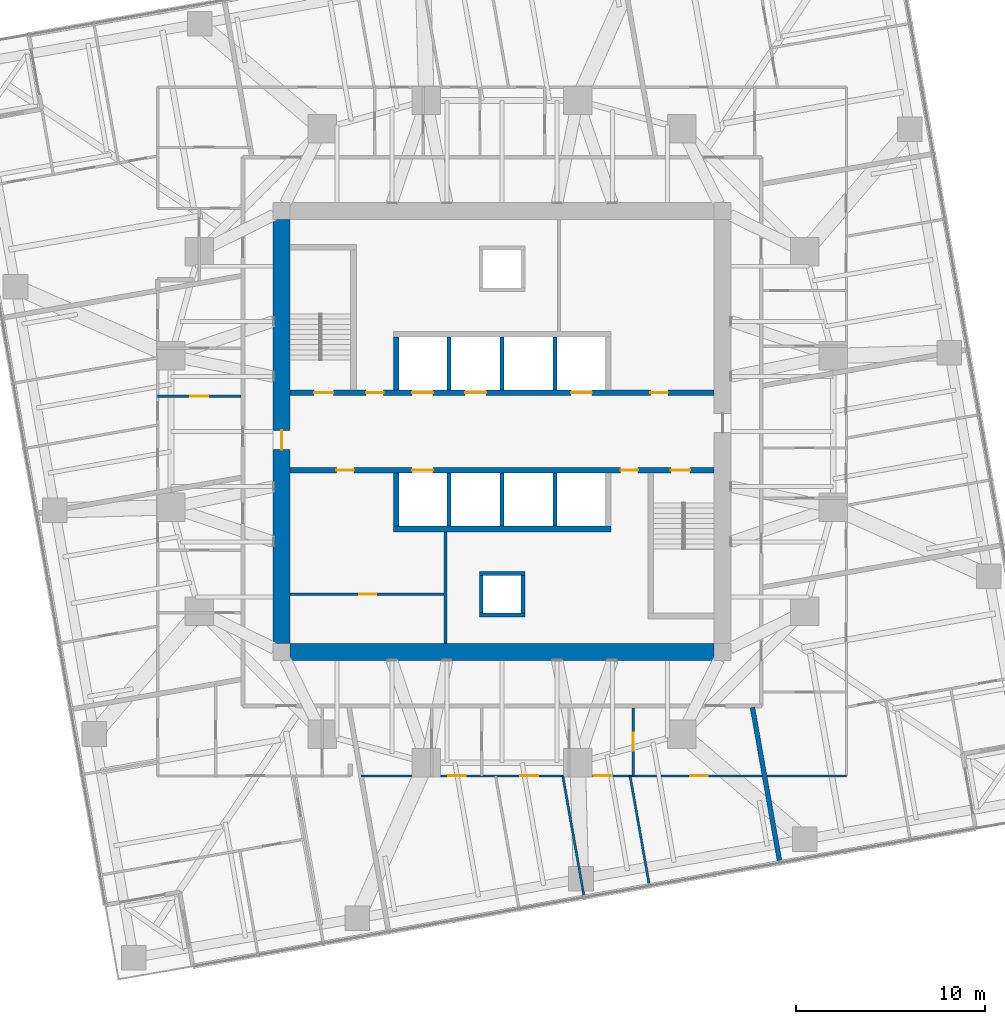
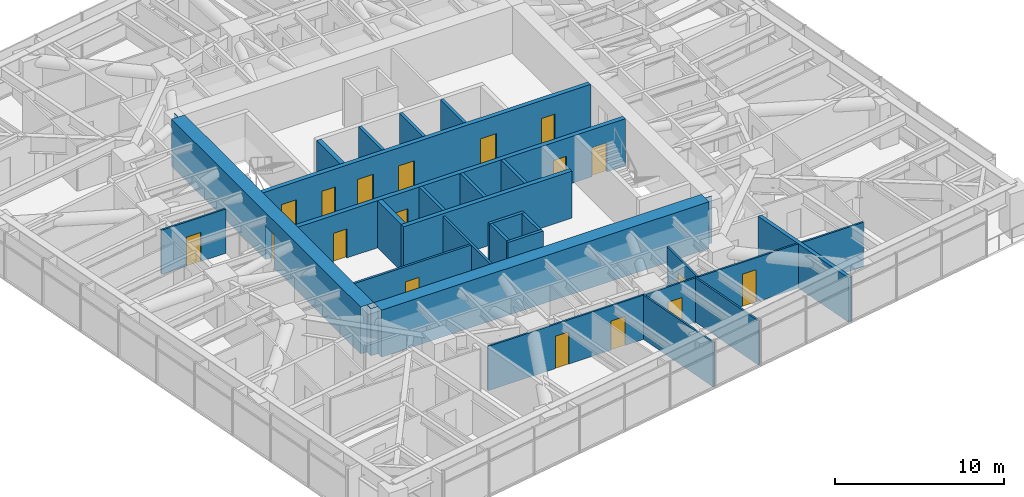
# One storey, part 12 of 17: 25 walls, 18 doors, 18 openings.
"""IFC4 building model written with IfcOpenShell, lengths in metres."""

from ifc_helpers import new_model, si_unit, direction, frame, frame_2d, origin, place, context, subcontext, project, spatial, polyline, rectangle, outline, extrude, material, layer, layer_set, type_object, element, fill, save


model = new_model("IFC4")

# Units and contexts
model_context = context("Model", 3, precision=1e-05, world=origin(), true_north=direction((0.0, 1.0)))
body_context = subcontext(model_context, "Body", "Model", "MODEL_VIEW")
ifc_project = project(units=[si_unit("LENGTHUNIT", "METRE"), si_unit("AREAUNIT", "SQUARE_METRE"), si_unit("VOLUMEUNIT", "CUBIC_METRE"), si_unit("PLANEANGLEUNIT", "RADIAN"), si_unit("MASSUNIT", "GRAM", prefix="KILO")], contexts=[model_context])

# Site, building, storey
site_placement = place(None, origin())
site = spatial("IfcSite", under=ifc_project, at=site_placement, CompositionType="ELEMENT")
building_placement = place(site_placement, origin())
building = spatial("IfcBuilding", under=site, at=building_placement, Name="Torsade Residences", CompositionType="ELEMENT")
storey_placement = place(building_placement, frame((0.0, 0.0, 103.199951171875)))
storey = spatial("IfcBuildingStorey", under=building, at=storey_placement, Name="L28", CompositionType="ELEMENT", Elevation=103.199951171875)

# Wall, openings, doors
ifc_material_1 = material(Name="Concrete 80 MPa", Category="concrete")
ifc_layer_1 = layer(ifc_material_1, 0.300048828125)
ifc_layer_set_1 = layer_set([ifc_layer_1], Name="Concrete 80 MPa")
wall_type_1 = type_object("IfcWallType", Name="CORE INTERNAL WALL 300", PredefinedType="SHEAR", material=ifc_layer_set_1)
wall_1_placement = place(storey_placement, frame((28.800048828125, 32.050048828125, 0.0), z_axis=(0.0, 0.0, 1.0), x_axis=(1.0, 0.0, 0.0)))
wall_1 = element("IfcWall", 1, at=wall_1_placement, inside=storey, type_object=wall_type_1, Name="Core wall LN L28", PredefinedType="SHEAR", context=body_context, shape_type="SweptSolid", body=[
    extrude(rectangle(XDim=22.39990234375, YDim=0.300048828125, at=frame_2d((11.199951171875, 0.0))), origin(), (0.0, 0.0, 1.0), 3.400146484375),
])
opening_1_placement = place(wall_1_placement, frame((19.0400390625, 0.0, 0.0)))
opening_1 = element("IfcOpeningElement", 2, at=opening_1_placement, cuts=wall_1, Name="Opening D06", PredefinedType="OPENING", context=body_context, shape_type="SweptSolid", body=[
    extrude(rectangle(XDim=0.919921875, YDim=2.10009765625, at=frame_2d((0.4599609375, 1.050048828125))), frame((0.0, 0.159912109375, 0.0), z_axis=(0.0, -1.0, 0.0), x_axis=(1.0, 0.0, 0.0)), (0.0, 0.0, 1.0), 0.320068359375),
])
opening_2_placement = place(wall_1_placement, frame((1.264892578125, 0.0, 0.0)))
opening_2 = element("IfcOpeningElement", 3, at=opening_2_placement, cuts=wall_1, Name="Opening D03", PredefinedType="OPENING", context=body_context, shape_type="SweptSolid", body=[
    extrude(rectangle(XDim=1.02001953125, YDim=2.10009765625, at=frame_2d((0.510009765625, 1.050048828125))), frame((0.0, 0.159912109375, 0.0), z_axis=(0.0, -1.0, 0.0), x_axis=(1.0, 0.0, 0.0)), (0.0, 0.0, 1.0), 0.320068359375),
])
opening_3_placement = place(wall_1_placement, frame((4.014892578125, 0.0, 0.0)))
opening_3 = element("IfcOpeningElement", 4, at=opening_3_placement, cuts=wall_1, Name="Opening D06", PredefinedType="OPENING", context=body_context, shape_type="SweptSolid", body=[
    extrude(rectangle(XDim=0.919921875, YDim=2.10009765625, at=frame_2d((0.4599609375, 1.050048828125))), frame((0.0, 0.159912109375, 0.0), z_axis=(0.0, -1.0, 0.0), x_axis=(1.0, 0.0, 0.0)), (0.0, 0.0, 1.0), 0.320068359375),
])
opening_4_placement = place(wall_1_placement, frame((6.449951171875, 0.0, 0.0)))
opening_4 = element("IfcOpeningElement", 5, at=opening_4_placement, cuts=wall_1, Name="Opening LD", PredefinedType="OPENING", context=body_context, shape_type="SweptSolid", body=[
    extrude(rectangle(XDim=1.10009765625, YDim=2.10009765625, at=frame_2d((0.550048828125, 1.050048828125))), frame((0.0, 0.159912109375, 0.0), z_axis=(0.0, -1.0, 0.0), x_axis=(1.0, 0.0, 0.0)), (0.0, 0.0, 1.0), 0.320068359375),
])
opening_5_placement = place(wall_1_placement, frame((9.25, 0.0, 0.0)))
opening_5 = element("IfcOpeningElement", 6, at=opening_5_placement, cuts=wall_1, Name="Opening LD", PredefinedType="OPENING", context=body_context, shape_type="SweptSolid", body=[
    extrude(rectangle(XDim=1.10009765625, YDim=2.10009765625, at=frame_2d((0.550048828125, 1.050048828125))), frame((0.0, 0.159912109375, 0.0), z_axis=(0.0, -1.0, 0.0), x_axis=(1.0, 0.0, 0.0)), (0.0, 0.0, 1.0), 0.320068359375),
])
opening_6_placement = place(wall_1_placement, frame((14.85009765625, 0.0, 0.0)))
opening_6 = element("IfcOpeningElement", 7, at=opening_6_placement, cuts=wall_1, Name="Opening LD", PredefinedType="OPENING", context=body_context, shape_type="SweptSolid", body=[
    extrude(rectangle(XDim=1.10009765625, YDim=2.10009765625, at=frame_2d((0.550048828125, 1.050048828125))), frame((0.0, 0.159912109375, 0.0), z_axis=(0.0, -1.0, 0.0), x_axis=(1.0, 0.0, 0.0)), (0.0, 0.0, 1.0), 0.320068359375),
])
ifc_material_2 = material(Name="Steel-framed fire door", Category="steel")
door_type_1 = type_object("IfcDoorType", Name="FIRE DOOR 1020", OperationType="NOTDEFINED", PredefinedType="DOOR", material=ifc_material_2)
door_1_placement = place(opening_2_placement, origin())
door_1 = element("IfcDoor", 8, at=door_1_placement, inside=storey, type_object=door_type_1, Name="Exit door to fire-isolated stair ST1 L28", OperationType="SINGLE_SWING_RIGHT", OverallHeight=2.10009765625, OverallWidth=1.02001953125, PredefinedType="DOOR", context=body_context, shape_type="SweptSolid", body=[
    extrude(rectangle(XDim=1.02001953125, YDim=2.10009765625, at=frame_2d((0.510009765625, 1.050048828125))), frame((0.0, 0.02490234375, 0.0), z_axis=(0.0, -1.0, 0.0), x_axis=(1.0, 0.0, 0.0)), (0.0, 0.0, 1.0), 0.050048828125),
])
fill(opening_2, door_1)
ifc_material_3 = material(Name="Steel-framed fire door", Category="steel")
door_type_2 = type_object("IfcDoorType", Name="FIRE DOOR 920", OperationType="NOTDEFINED", PredefinedType="DOOR", material=ifc_material_3)
door_2_placement = place(opening_1_placement, origin())
door_2 = element("IfcDoor", 9, at=door_2_placement, inside=storey, type_object=door_type_2, Name="Door Lift lobby to Refuse room", OperationType="SINGLE_SWING_LEFT", OverallHeight=2.10009765625, OverallWidth=0.919921875, PredefinedType="DOOR", context=body_context, shape_type="SweptSolid", body=[
    extrude(rectangle(XDim=0.919921875, YDim=2.10009765625, at=frame_2d((0.4599609375, 1.050048828125))), frame((0.0, 0.02490234375, 0.0), z_axis=(0.0, -1.0, 0.0), x_axis=(1.0, 0.0, 0.0)), (0.0, 0.0, 1.0), 0.050048828125),
])
fill(opening_1, door_2)
door_3_placement = place(opening_3_placement, origin())
door_3 = element("IfcDoor", 10, at=door_3_placement, inside=storey, type_object=door_type_2, Name="Door Lift lobby to Electrical riser room", OperationType="SINGLE_SWING_LEFT", OverallHeight=2.10009765625, OverallWidth=0.919921875, PredefinedType="DOOR", context=body_context, shape_type="SweptSolid", body=[
    extrude(rectangle(XDim=0.919921875, YDim=2.10009765625, at=frame_2d((0.4599609375, 1.050048828125))), frame((0.0, 0.02490234375, 0.0), z_axis=(0.0, -1.0, 0.0), x_axis=(1.0, 0.0, 0.0)), (0.0, 0.0, 1.0), 0.050048828125),
])
fill(opening_3, door_3)
ifc_material_4 = material(Name="Stainless steel lift landing door", Category="steel")
door_type_3 = type_object("IfcDoorType", Name="LIFT LANDING DOOR 1100", OperationType="SLIDING_TO_LEFT", PredefinedType="DOOR", material=ifc_material_4)
door_4_placement = place(opening_4_placement, origin())
door_4 = element("IfcDoor", 11, at=door_4_placement, inside=storey, type_object=door_type_3, Name="Lift LA1 landing door L28", OperationType="SLIDING_TO_LEFT", OverallHeight=2.10009765625, OverallWidth=1.10009765625, PredefinedType="DOOR", context=body_context, shape_type="SweptSolid", body=[
    extrude(rectangle(XDim=1.10009765625, YDim=2.10009765625, at=frame_2d((0.550048828125, 1.050048828125))), frame((0.0, 0.02490234375, 0.0), z_axis=(0.0, -1.0, 0.0), x_axis=(1.0, 0.0, 0.0)), (0.0, 0.0, 1.0), 0.050048828125),
])
fill(opening_4, door_4)
door_5_placement = place(opening_5_placement, origin())
door_5 = element("IfcDoor", 12, at=door_5_placement, inside=storey, type_object=door_type_3, Name="Lift LA2 landing door L28", OperationType="SLIDING_TO_LEFT", OverallHeight=2.10009765625, OverallWidth=1.10009765625, PredefinedType="DOOR", context=body_context, shape_type="SweptSolid", body=[
    extrude(rectangle(XDim=1.10009765625, YDim=2.10009765625, at=frame_2d((0.550048828125, 1.050048828125))), frame((0.0, 0.02490234375, 0.0), z_axis=(0.0, -1.0, 0.0), x_axis=(1.0, 0.0, 0.0)), (0.0, 0.0, 1.0), 0.050048828125),
])
fill(opening_5, door_5)
door_6_placement = place(opening_6_placement, origin())
door_6 = element("IfcDoor", 13, at=door_6_placement, inside=storey, type_object=door_type_3, Name="Lift FL1 landing door L28", OperationType="SLIDING_TO_LEFT", OverallHeight=2.10009765625, OverallWidth=1.10009765625, PredefinedType="DOOR", context=body_context, shape_type="SweptSolid", body=[
    extrude(rectangle(XDim=1.10009765625, YDim=2.10009765625, at=frame_2d((0.550048828125, 1.050048828125))), frame((0.0, 0.02490234375, 0.0), z_axis=(0.0, -1.0, 0.0), x_axis=(1.0, 0.0, 0.0)), (0.0, 0.0, 1.0), 0.050048828125),
])
fill(opening_6, door_6)

wall_2_placement = place(storey_placement, frame((51.199951171875, 27.949951171875, 0.0), z_axis=(0.0, 0.0, 1.0), x_axis=(-1.0, 0.0, 0.0)))
wall_2 = element("IfcWall", 14, at=wall_2_placement, inside=storey, type_object=wall_type_1, Name="Core wall LS L28", PredefinedType="SHEAR", context=body_context, shape_type="SweptSolid", body=[
    extrude(rectangle(XDim=22.39990234375, YDim=0.300048828125, at=frame_2d((11.199951171875, 0.0))), origin(), (0.0, 0.0, 1.0), 3.400146484375),
])
opening_7_placement = place(wall_2_placement, frame((19.0400390625, 0.0, 0.0)))
opening_7 = element("IfcOpeningElement", 15, at=opening_7_placement, cuts=wall_2, Name="Opening D06", PredefinedType="OPENING", context=body_context, shape_type="SweptSolid", body=[
    extrude(rectangle(XDim=0.919921875, YDim=2.10009765625, at=frame_2d((0.4599609375, 1.050048828125))), frame((0.0, 0.159912109375, 0.0), z_axis=(0.0, -1.0, 0.0), x_axis=(1.0, 0.0, 0.0)), (0.0, 0.0, 1.0), 0.320068359375),
])
opening_8_placement = place(wall_2_placement, frame((1.264892578125, 0.0, 0.0)))
opening_8 = element("IfcOpeningElement", 16, at=opening_8_placement, cuts=wall_2, Name="Opening D03", PredefinedType="OPENING", context=body_context, shape_type="SweptSolid", body=[
    extrude(rectangle(XDim=1.02001953125, YDim=2.10009765625, at=frame_2d((0.510009765625, 1.050048828125))), frame((0.0, 0.159912109375, 0.0), z_axis=(0.0, -1.0, 0.0), x_axis=(1.0, 0.0, 0.0)), (0.0, 0.0, 1.0), 0.320068359375),
])
opening_9_placement = place(wall_2_placement, frame((4.014892578125, 0.0, 0.0)))
opening_9 = element("IfcOpeningElement", 17, at=opening_9_placement, cuts=wall_2, Name="Opening D06", PredefinedType="OPENING", context=body_context, shape_type="SweptSolid", body=[
    extrude(rectangle(XDim=0.919921875, YDim=2.10009765625, at=frame_2d((0.4599609375, 1.050048828125))), frame((0.0, 0.159912109375, 0.0), z_axis=(0.0, -1.0, 0.0), x_axis=(1.0, 0.0, 0.0)), (0.0, 0.0, 1.0), 0.320068359375),
])
opening_10_placement = place(wall_2_placement, frame((14.85009765625, 0.0, 0.0)))
opening_10 = element("IfcOpeningElement", 18, at=opening_10_placement, cuts=wall_2, Name="Opening LD", PredefinedType="OPENING", context=body_context, shape_type="SweptSolid", body=[
    extrude(rectangle(XDim=1.10009765625, YDim=2.10009765625, at=frame_2d((0.550048828125, 1.050048828125))), frame((0.0, 0.159912109375, 0.0), z_axis=(0.0, -1.0, 0.0), x_axis=(1.0, 0.0, 0.0)), (0.0, 0.0, 1.0), 0.320068359375),
])
door_7_placement = place(opening_8_placement, origin())
door_7 = element("IfcDoor", 19, at=door_7_placement, inside=storey, type_object=door_type_1, Name="Exit door to fire-isolated stair ST2 L28", OperationType="SINGLE_SWING_RIGHT", OverallHeight=2.10009765625, OverallWidth=1.02001953125, PredefinedType="DOOR", context=body_context, shape_type="SweptSolid", body=[
    extrude(rectangle(XDim=1.02001953125, YDim=2.10009765625, at=frame_2d((0.510009765625, 1.050048828125))), frame((0.0, 0.02490234375, 0.0), z_axis=(0.0, -1.0, 0.0), x_axis=(1.0, 0.0, 0.0)), (0.0, 0.0, 1.0), 0.050048828125),
])
fill(opening_8, door_7)
door_8_placement = place(opening_7_placement, origin())
door_8 = element("IfcDoor", 20, at=door_8_placement, inside=storey, type_object=door_type_2, Name="Door Lift lobby to Cleaner store", OperationType="SINGLE_SWING_LEFT", OverallHeight=2.10009765625, OverallWidth=0.919921875, PredefinedType="DOOR", context=body_context, shape_type="SweptSolid", body=[
    extrude(rectangle(XDim=0.919921875, YDim=2.10009765625, at=frame_2d((0.4599609375, 1.050048828125))), frame((0.0, 0.02490234375, 0.0), z_axis=(0.0, -1.0, 0.0), x_axis=(1.0, 0.0, 0.0)), (0.0, 0.0, 1.0), 0.050048828125),
])
fill(opening_7, door_8)
door_9_placement = place(opening_9_placement, origin())
door_9 = element("IfcDoor", 21, at=door_9_placement, inside=storey, type_object=door_type_2, Name="Door Lift lobby to Communications riser room", OperationType="SINGLE_SWING_RIGHT", OverallHeight=2.10009765625, OverallWidth=0.919921875, PredefinedType="DOOR", context=body_context, shape_type="SweptSolid", body=[
    extrude(rectangle(XDim=0.919921875, YDim=2.10009765625, at=frame_2d((0.4599609375, 1.050048828125))), frame((0.0, 0.02490234375, 0.0), z_axis=(0.0, -1.0, 0.0), x_axis=(1.0, 0.0, 0.0)), (0.0, 0.0, 1.0), 0.050048828125),
])
fill(opening_9, door_9)
door_10_placement = place(opening_10_placement, origin())
door_10 = element("IfcDoor", 22, at=door_10_placement, inside=storey, type_object=door_type_3, Name="Lift FL2 landing door L28", OperationType="SLIDING_TO_LEFT", OverallHeight=2.10009765625, OverallWidth=1.10009765625, PredefinedType="DOOR", context=body_context, shape_type="SweptSolid", body=[
    extrude(rectangle(XDim=1.10009765625, YDim=2.10009765625, at=frame_2d((0.550048828125, 1.050048828125))), frame((0.0, 0.02490234375, 0.0), z_axis=(0.0, -1.0, 0.0), x_axis=(1.0, 0.0, 0.0)), (0.0, 0.0, 1.0), 0.050048828125),
])
fill(opening_10, door_10)

# Walls
wall_3_placement = place(storey_placement, frame((45.75, 24.85009765625, 0.0), z_axis=(0.0, 0.0, 1.0), x_axis=(-1.0, 0.0, 0.0)))
element("IfcWall", 23, at=wall_3_placement, inside=storey, type_object=wall_type_1, Name="Core wall BS L28", PredefinedType="SHEAR", context=body_context, shape_type="SweptSolid", body=[
    extrude(rectangle(XDim=11.5, YDim=0.300048828125, at=frame_2d((5.75, 0.0))), origin(), (0.0, 0.0, 1.0), 3.400146484375),
])
for number, where, z_axis, x_axis, name in (
    (24, (34.39990234375, 32.199951171875, 0.0), (0.0, 0.0, 1.0), (0.0, 1.0, 0.0), "Core wall DN0 L28"),
    (25, (34.39990234375, 27.800048828125, 0.0), (0.0, 0.0, 1.0), (0.0, -1.0, 0.0), "Core wall DS4 L28"),
):
    element("IfcWall", number, at=place(storey_placement, frame(where, z_axis=z_axis, x_axis=x_axis)), inside=storey, type_object=wall_type_1, Name=name, PredefinedType="SHEAR", context=body_context, shape_type="SweptSolid", body=[
        extrude(rectangle(XDim=2.800048828125, YDim=0.300048828125, at=frame_2d((1.39990234375, 0.0))), origin(), (0.0, 0.0, 1.0), 3.400146484375),
    ])
ifc_material_5 = material(Name="Concrete 80 MPa", Category="concrete")
ifc_layer_2 = layer(ifc_material_5, 0.89990234375)
ifc_layer_set_2 = layer_set([ifc_layer_2], Name="Concrete 80 MPa")
wall_type_2 = type_object("IfcWallType", Name="CORE WALL 900", PredefinedType="SHEAR", material=ifc_layer_set_2)
wall_4_placement = place(storey_placement, frame((51.199951171875, 18.35009765625, 0.0), z_axis=(0.0, 0.0, 1.0), x_axis=(-1.0, 0.0, 0.0)))
element("IfcWall", 26, at=wall_4_placement, inside=storey, type_object=wall_type_2, Name="Core wall S L28", PredefinedType="SHEAR", context=body_context, shape_type="SweptSolid", body=[
    extrude(outline(polyline([(0.0, -0.449951171875), (22.39990234375, -0.449951171875), (22.39990234375, -0.02490234375), (22.849853515625, -0.02490234375), (22.849853515625, 0.02490234375), (22.39990234375, 0.02490234375), (22.39990234375, 0.449951171875), (0.0, 0.449951171875), (0.0, 0.02490234375), (-0.449951171875, 0.02490234375), (-0.449951171875, -0.02490234375), (0.0, -0.02490234375), (0.0, -0.449951171875)])), origin(), (0.0, 0.0, 1.0), 3.400146484375),
])

# Wall, opening, door
wall_5_placement = place(storey_placement, frame((28.35009765625, 41.199951171875, 0.0), z_axis=(0.0, 0.0, 1.0), x_axis=(0.0, -1.0, 0.0)))
wall_5 = element("IfcWall", 27, at=wall_5_placement, inside=storey, type_object=wall_type_2, Name="Core wall W L28", PredefinedType="SHEAR", context=body_context, shape_type="SweptSolid", body=[
    extrude(outline(polyline([(0.0, -0.449951171875), (22.39990234375, -0.449951171875), (22.39990234375, -0.02490234375), (22.849853515625, -0.02490234375), (22.849853515625, 0.02490234375), (22.39990234375, 0.02490234375), (22.39990234375, 0.449951171875), (0.0, 0.449951171875), (0.0, 0.02490234375), (-0.449951171875, 0.02490234375), (-0.449951171875, -0.02490234375), (0.0, -0.02490234375), (0.0, -0.449951171875)])), origin(), (0.0, 0.0, 1.0), 3.400146484375),
])
opening_11_placement = place(wall_5_placement, frame((11.139892578125, 0.0, 0.0)))
opening_11 = element("IfcOpeningElement", 28, at=opening_11_placement, cuts=wall_5, Name="Opening D04", PredefinedType="OPENING", context=body_context, shape_type="SweptSolid", body=[
    extrude(rectangle(XDim=1.02001953125, YDim=2.39990234375, at=frame_2d((0.510009765625, 1.199951171875))), frame((0.0, 0.4599609375, 0.0), z_axis=(0.0, -1.0, 0.0), x_axis=(1.0, 0.0, 0.0)), (0.0, 0.0, 1.0), 0.919921875),
])
ifc_material_6 = material(Name="Steel-framed fire door", Category="steel")
door_type_4 = type_object("IfcDoorType", Name="LOBBY SMOKE DOOR 1020x2400", OperationType="NOTDEFINED", PredefinedType="DOOR", material=ifc_material_6)
door_11_placement = place(opening_11_placement, origin())
door_11 = element("IfcDoor", 29, at=door_11_placement, inside=storey, type_object=door_type_4, Name="Lift lobby door W L28", OperationType="SINGLE_SWING_RIGHT", OverallHeight=2.39990234375, OverallWidth=1.02001953125, PredefinedType="DOOR", context=body_context, shape_type="SweptSolid", body=[
    extrude(rectangle(XDim=1.02001953125, YDim=2.39990234375, at=frame_2d((0.510009765625, 1.199951171875))), frame((0.0, 0.02490234375, 0.0), z_axis=(0.0, -1.0, 0.0), x_axis=(1.0, 0.0, 0.0)), (0.0, 0.0, 1.0), 0.050048828125),
])
fill(opening_11, door_11)

# Walls
ifc_material_7 = material(Name="Reinforced blockwork", Category="masonry")
ifc_layer_3 = layer(ifc_material_7, 0.199951171875)
ifc_layer_set_3 = layer_set([ifc_layer_3], Name="Reinforced blockwork")
wall_type_3 = type_object("IfcWallType", Name="LIFT SHAFT DIVIDING WALL 200", PredefinedType="SOLIDWALL", material=ifc_layer_set_3)
for number, where, z_axis, x_axis, name in (
    (30, (37.199951171875, 32.199951171875, 0.0), (0.0, 0.0, 1.0), (0.0, 1.0, 0.0), "Core wall DN1 L28"),
    (31, (42.800048828125, 27.800048828125, 0.0), (0.0, 0.0, 1.0), (0.0, -1.0, 0.0), "Core wall DS1 L28"),
    (32, (40.0, 32.199951171875, 0.0), (0.0, 0.0, 1.0), (0.0, 1.0, 0.0), "Core wall DN2 L28"),
    (33, (40.0, 27.800048828125, 0.0), (0.0, 0.0, 1.0), (0.0, -1.0, 0.0), "Core wall DS2 L28"),
    (34, (42.800048828125, 32.199951171875, 0.0), (0.0, 0.0, 1.0), (0.0, 1.0, 0.0), "Core wall DN3 L28"),
    (35, (37.199951171875, 27.800048828125, 0.0), (0.0, 0.0, 1.0), (0.0, -1.0, 0.0), "Core wall DS3 L28"),
):
    element("IfcWall", number, at=place(storey_placement, frame(where, z_axis=z_axis, x_axis=x_axis)), inside=storey, type_object=wall_type_3, Name=name, PredefinedType="SOLIDWALL", context=body_context, shape_type="SweptSolid", body=[
        extrude(rectangle(XDim=2.800048828125, YDim=0.199951171875, at=frame_2d((1.39990234375, 0.0))), origin(), (0.0, 0.0, 1.0), 3.400146484375),
    ])

# Wall, opening, door
ifc_material_8 = material(Name="Plasterboard on steel stud", Category="steel")
ifc_layer_4 = layer(ifc_material_8, 0.1201171875)
ifc_layer_set_4 = layer_set([ifc_layer_4], Name="Plasterboard on steel stud")
wall_type_4 = type_object("IfcWallType", Name="PARTITION 120", PredefinedType="PARTITIONING", material=ifc_layer_set_4)
wall_6_placement = place(storey_placement, frame((46.92578125, 11.800048828125, 0.0), z_axis=(0.0, 0.0, 1.0), x_axis=(0.0, 1.0, 0.0)))
wall_6 = element("IfcWall", 36, at=wall_6_placement, inside=storey, type_object=wall_type_4, Name="Partition L28", PredefinedType="PARTITIONING", context=body_context, shape_type="SweptSolid", body=[
    extrude(rectangle(XDim=3.599853515625, YDim=0.1201171875, at=frame_2d((1.7998046875, 0.0))), origin(), (0.0, 0.0, 1.0), 3.199951171875),
])
opening_12_placement = place(wall_6_placement, frame((1.320068359375, 0.0, 0.0)))
opening_12 = element("IfcOpeningElement", 37, at=opening_12_placement, cuts=wall_6, Name="Opening D05", PredefinedType="OPENING", context=body_context, shape_type="SweptSolid", body=[
    extrude(rectangle(XDim=0.9599609375, YDim=2.10009765625, at=frame_2d((0.47998046875, 1.050048828125))), frame((0.0, 0.070068359375, 0.0), z_axis=(0.0, -1.0, 0.0), x_axis=(1.0, 0.0, 0.0)), (0.0, 0.0, 1.0), 0.14013671875),
])
ifc_material_9 = material(Name="Hollow-core timber door in a steel cavity frame", Category="steel")
door_type_5 = type_object("IfcDoorType", Name="BATHROOM CAVITY SLIDING DOOR 960", OperationType="SLIDING_TO_LEFT", PredefinedType="DOOR", material=ifc_material_9)
door_12_placement = place(opening_12_placement, origin())
door_12 = element("IfcDoor", 38, at=door_12_placement, inside=storey, type_object=door_type_5, Name="Door Kitchen and dining to Laundry", OperationType="SLIDING_TO_LEFT", OverallHeight=2.10009765625, OverallWidth=0.9599609375, PredefinedType="DOOR", context=body_context, shape_type="SweptSolid", body=[
    extrude(rectangle(XDim=0.9599609375, YDim=2.10009765625, at=frame_2d((0.47998046875, 1.050048828125))), frame((0.0, 0.02490234375, 0.0), z_axis=(0.0, -1.0, 0.0), x_axis=(1.0, 0.0, 0.0)), (0.0, 0.0, 1.0), 0.050048828125),
])
fill(opening_12, door_12)

# Wall, openings, doors
wall_7_placement = place(storey_placement, frame((58.199951171875, 11.800048828125, 0.0), z_axis=(0.0, 0.0, 1.0), x_axis=(-1.0, 0.0, 0.0)))
wall_7 = element("IfcWall", 39, at=wall_7_placement, inside=storey, type_object=wall_type_4, Name="Partition L28", PredefinedType="PARTITIONING", context=body_context, shape_type="SweptSolid", body=[
    extrude(rectangle(XDim=25.65283203125, YDim=0.1201171875, at=frame_2d((12.826416015625, 0.0))), origin(), (0.0, 0.0, 1.0), 3.199951171875),
])
opening_13_placement = place(wall_7_placement, frame((7.341552734375, 0.0, 0.0)))
opening_13 = element("IfcOpeningElement", 40, at=opening_13_placement, cuts=wall_7, Name="Opening D02", PredefinedType="OPENING", context=body_context, shape_type="SweptSolid", body=[
    extrude(rectangle(XDim=0.919921875, YDim=2.340087890625, at=frame_2d((0.4599609375, 1.169921875))), frame((0.0, 0.070068359375, 0.0), z_axis=(0.0, -1.0, 0.0), x_axis=(1.0, 0.0, 0.0)), (0.0, 0.0, 1.0), 0.14013671875),
])
opening_14_placement = place(wall_7_placement, frame((12.394287109375, 0.0, 0.0)))
opening_14 = element("IfcOpeningElement", 41, at=opening_14_placement, cuts=wall_7, Name="Opening D05", PredefinedType="OPENING", context=body_context, shape_type="SweptSolid", body=[
    extrude(rectangle(XDim=0.9599609375, YDim=2.10009765625, at=frame_2d((0.47998046875, 1.050048828125))), frame((0.0, 0.070068359375, 0.0), z_axis=(0.0, -1.0, 0.0), x_axis=(1.0, 0.0, 0.0)), (0.0, 0.0, 1.0), 0.14013671875),
])
opening_15_placement = place(wall_7_placement, frame((16.287841796875, 0.0, 0.0)))
opening_15 = element("IfcOpeningElement", 42, at=opening_15_placement, cuts=wall_7, Name="Opening D05", PredefinedType="OPENING", context=body_context, shape_type="SweptSolid", body=[
    extrude(rectangle(XDim=0.9599609375, YDim=2.10009765625, at=frame_2d((0.47998046875, 1.050048828125))), frame((0.0, 0.070068359375, 0.0), z_axis=(0.0, -1.0, 0.0), x_axis=(1.0, 0.0, 0.0)), (0.0, 0.0, 1.0), 0.14013671875),
])
opening_16_placement = place(wall_7_placement, frame((20.13427734375, 0.0, 0.0)))
opening_16 = element("IfcOpeningElement", 43, at=opening_16_placement, cuts=wall_7, Name="Opening D02", PredefinedType="OPENING", context=body_context, shape_type="SweptSolid", body=[
    extrude(rectangle(XDim=0.919921875, YDim=2.340087890625, at=frame_2d((0.4599609375, 1.169921875))), frame((0.0, 0.070068359375, 0.0), z_axis=(0.0, -1.0, 0.0), x_axis=(1.0, 0.0, 0.0)), (0.0, 0.0, 1.0), 0.14013671875),
])
door_13_placement = place(opening_14_placement, origin())
door_13 = element("IfcDoor", 44, at=door_13_placement, inside=storey, type_object=door_type_5, Name="Door Laundry to Study 2", OperationType="SLIDING_TO_LEFT", OverallHeight=2.10009765625, OverallWidth=0.9599609375, PredefinedType="DOOR", context=body_context, shape_type="SweptSolid", body=[
    extrude(rectangle(XDim=0.9599609375, YDim=2.10009765625, at=frame_2d((0.47998046875, 1.050048828125))), frame((0.0, 0.02490234375, 0.0), z_axis=(0.0, -1.0, 0.0), x_axis=(1.0, 0.0, 0.0)), (0.0, 0.0, 1.0), 0.050048828125),
])
fill(opening_14, door_13)
door_14_placement = place(opening_15_placement, origin())
door_14 = element("IfcDoor", 45, at=door_14_placement, inside=storey, type_object=door_type_5, Name="Door Bathroom to Bedroom 2", OperationType="SLIDING_TO_LEFT", OverallHeight=2.10009765625, OverallWidth=0.9599609375, PredefinedType="DOOR", context=body_context, shape_type="SweptSolid", body=[
    extrude(rectangle(XDim=0.9599609375, YDim=2.10009765625, at=frame_2d((0.47998046875, 1.050048828125))), frame((0.0, 0.02490234375, 0.0), z_axis=(0.0, -1.0, 0.0), x_axis=(1.0, 0.0, 0.0)), (0.0, 0.0, 1.0), 0.050048828125),
])
fill(opening_15, door_14)
ifc_material_10 = material(Name="Hollow-core timber door", Category="wood")
door_type_6 = type_object("IfcDoorType", Name="INTERNAL DOOR 920x2340", OperationType="NOTDEFINED", PredefinedType="DOOR", material=ifc_material_10)
door_15_placement = place(opening_13_placement, origin())
door_15 = element("IfcDoor", 46, at=door_15_placement, inside=storey, type_object=door_type_6, Name="Door Kitchen and dining to Bedroom 1", OperationType="SINGLE_SWING_LEFT", OverallHeight=2.340087890625, OverallWidth=0.919921875, PredefinedType="DOOR", context=body_context, shape_type="SweptSolid", body=[
    extrude(rectangle(XDim=0.919921875, YDim=2.340087890625, at=frame_2d((0.4599609375, 1.169921875))), frame((0.0, 0.02490234375, 0.0), z_axis=(0.0, -1.0, 0.0), x_axis=(1.0, 0.0, 0.0)), (0.0, 0.0, 1.0), 0.050048828125),
])
fill(opening_13, door_15)
door_16_placement = place(opening_16_placement, origin())
door_16 = element("IfcDoor", 47, at=door_16_placement, inside=storey, type_object=door_type_6, Name="Door Study to Living room", OperationType="SINGLE_SWING_LEFT", OverallHeight=2.340087890625, OverallWidth=0.919921875, PredefinedType="DOOR", context=body_context, shape_type="SweptSolid", body=[
    extrude(rectangle(XDim=0.919921875, YDim=2.340087890625, at=frame_2d((0.4599609375, 1.169921875))), frame((0.0, 0.02490234375, 0.0), z_axis=(0.0, -1.0, 0.0), x_axis=(1.0, 0.0, 0.0)), (0.0, 0.0, 1.0), 0.050048828125),
])
fill(opening_16, door_16)

# Walls
wall_8_placement = place(storey_placement, frame((47.781005859375, 6.02685546875, 0.0), z_axis=(0.0, 0.0, 1.0), x_axis=(-0.173623777139, 0.984812055172, 0.0)))
element("IfcWall", 48, at=wall_8_placement, inside=storey, type_object=wall_type_4, Name="Partition L28", PredefinedType="PARTITIONING", context=body_context, shape_type="SweptSolid", body=[
    extrude(rectangle(XDim=5.8623046875, YDim=0.1201171875, at=frame_2d((2.93115234375, 0.0))), origin(), (0.0, 0.0, 1.0), 3.199951171875),
])
wall_9_placement = place(storey_placement, frame((43.209228515625, 11.800048828125, 0.0), z_axis=(0.0, 0.0, 1.0), x_axis=(0.173630564586, -0.984810858511, 0.0)))
element("IfcWall", 49, at=wall_9_placement, inside=storey, type_object=wall_type_4, Name="Partition L28", PredefinedType="PARTITIONING", context=body_context, shape_type="SweptSolid", body=[
    extrude(rectangle(XDim=6.479248046875, YDim=0.1201171875, at=frame_2d((3.23974609375, 0.0))), origin(), (0.0, 0.0, 1.0), 3.199951171875),
])

# Wall, opening, door
wall_10_placement = place(storey_placement, frame((21.800048828125, 31.867919921875, 0.0), z_axis=(0.0, 0.0, 1.0), x_axis=(1.0, 0.0, 0.0)))
wall_10 = element("IfcWall", 50, at=wall_10_placement, inside=storey, type_object=wall_type_4, Name="Partition L28", PredefinedType="PARTITIONING", context=body_context, shape_type="SweptSolid", body=[
    extrude(rectangle(XDim=4.39990234375, YDim=0.1201171875, at=frame_2d((2.199951171875, 0.0))), origin(), (0.0, 0.0, 1.0), 3.199951171875),
])
opening_17_placement = place(wall_10_placement, frame((1.719970703125, 0.0, 0.0)))
opening_17 = element("IfcOpeningElement", 51, at=opening_17_placement, cuts=wall_10, Name="Opening D05", PredefinedType="OPENING", context=body_context, shape_type="SweptSolid", body=[
    extrude(rectangle(XDim=0.9599609375, YDim=2.10009765625, at=frame_2d((0.47998046875, 1.050048828125))), frame((0.0, 0.070068359375, 0.0), z_axis=(0.0, -1.0, 0.0), x_axis=(1.0, 0.0, 0.0)), (0.0, 0.0, 1.0), 0.14013671875),
])
door_17_placement = place(opening_17_placement, origin())
door_17 = element("IfcDoor", 52, at=door_17_placement, inside=storey, type_object=door_type_5, Name="Door Kitchen and dining to Ensuite", OperationType="SLIDING_TO_LEFT", OverallHeight=2.10009765625, OverallWidth=0.9599609375, PredefinedType="DOOR", context=body_context, shape_type="SweptSolid", body=[
    extrude(rectangle(XDim=0.9599609375, YDim=2.10009765625, at=frame_2d((0.47998046875, 1.050048828125))), frame((0.0, 0.02490234375, 0.0), z_axis=(0.0, -1.0, 0.0), x_axis=(1.0, 0.0, 0.0)), (0.0, 0.0, 1.0), 0.050048828125),
])
fill(opening_17, door_17)

# Walls
ifc_material_11 = material(Name="Masonry-lined stud party wall", Category="masonry")
ifc_layer_5 = layer(ifc_material_11, 0.25)
ifc_layer_set_5 = layer_set([ifc_layer_5], Name="Masonry-lined stud party wall")
wall_type_5 = type_object("IfcWallType", Name="PARTY WALL 250", PredefinedType="PARTITIONING", material=ifc_layer_set_5)
wall_11_placement = place(storey_placement, frame((54.681640625, 7.203125, 0.0), z_axis=(0.0, 0.0, 1.0), x_axis=(-0.173651756605, 0.984807121942, 0.0)))
element("IfcWall", 53, at=wall_11_placement, inside=storey, type_object=wall_type_5, Name="Party wall L28", PredefinedType="PARTITIONING", context=body_context, shape_type="SweptSolid", body=[
    extrude(rectangle(XDim=8.34130859375, YDim=0.25, at=frame_2d((4.170654296875, 0.0))), origin(), (0.0, 0.0, 1.0), 3.199951171875),
])
ifc_material_12 = material(Name="Reinforced blockwork", Category="masonry")
ifc_layer_6 = layer(ifc_material_12, 0.199951171875)
ifc_layer_set_6 = layer_set([ifc_layer_6], Name="Reinforced blockwork")
wall_type_6 = type_object("IfcWallType", Name="RISER SHAFT WALL 200", PredefinedType="SOLIDWALL", material=ifc_layer_set_6)
for number, where, z_axis, x_axis, name in (
    (54, (38.89990234375, 22.39990234375, 0.0), (0.0, 0.0, 1.0), (0.0, -1.0, 0.0), "Core wall RS2a L28"),
    (55, (41.10009765625, 22.39990234375, 0.0), (0.0, 0.0, 1.0), (0.0, -1.0, 0.0), "Core wall RS2b L28"),
):
    element("IfcWall", number, at=place(storey_placement, frame(where, z_axis=z_axis, x_axis=x_axis)), inside=storey, type_object=wall_type_6, Name=name, PredefinedType="SOLIDWALL", context=body_context, shape_type="SweptSolid", body=[
        extrude(rectangle(XDim=2.0, YDim=0.199951171875, at=frame_2d((1.0, 0.0))), origin(), (0.0, 0.0, 1.0), 3.400146484375),
    ])
for number, where, z_axis, x_axis, name in (
    (56, (38.800048828125, 22.5, 0.0), (0.0, 0.0, 1.0), (1.0, 0.0, 0.0), "Core wall RS2c L28"),
    (57, (38.800048828125, 20.300048828125, 0.0), (0.0, 0.0, 1.0), (1.0, 0.0, 0.0), "Core wall RS2d L28"),
):
    element("IfcWall", number, at=place(storey_placement, frame(where, z_axis=z_axis, x_axis=x_axis)), inside=storey, type_object=wall_type_6, Name=name, PredefinedType="SOLIDWALL", context=body_context, shape_type="SweptSolid", body=[
        extrude(rectangle(XDim=2.39990234375, YDim=0.199951171875, at=frame_2d((1.199951171875, 0.0))), origin(), (0.0, 0.0, 1.0), 3.400146484375),
    ])
ifc_material_13 = material(Name="Reinforced blockwork", Category="masonry")
ifc_layer_7 = layer(ifc_material_13, 0.14990234375)
ifc_layer_set_7 = layer_set([ifc_layer_7], Name="Reinforced blockwork")
wall_type_7 = type_object("IfcWallType", Name="SERVICE ROOM WALL 150", PredefinedType="SOLIDWALL", material=ifc_layer_set_7)
wall_12_placement = place(storey_placement, frame((37.0, 18.800048828125, 0.0), z_axis=(0.0, 0.0, 1.0), x_axis=(0.0, 1.0, 0.0)))
element("IfcWall", 58, at=wall_12_placement, inside=storey, type_object=wall_type_7, Name="Service room wall L28", PredefinedType="SOLIDWALL", context=body_context, shape_type="SweptSolid", body=[
    extrude(rectangle(XDim=5.89990234375, YDim=0.14990234375, at=frame_2d((2.949951171875, 0.0))), origin(), (0.0, 0.0, 1.0), 3.199951171875),
])

# Wall, opening, door
wall_13_placement = place(storey_placement, frame((37.0, 21.39990234375, 0.0), z_axis=(0.0, 0.0, 1.0), x_axis=(-1.0, 0.0, 0.0)))
wall_13 = element("IfcWall", 59, at=wall_13_placement, inside=storey, type_object=wall_type_7, Name="Service room wall L28", PredefinedType="SOLIDWALL", context=body_context, shape_type="SweptSolid", body=[
    extrude(rectangle(XDim=8.199951171875, YDim=0.14990234375, at=frame_2d((4.10009765625, 0.0))), origin(), (0.0, 0.0, 1.0), 3.199951171875),
])
opening_18_placement = place(wall_13_placement, frame((3.639892578125, 0.0, 0.0)))
opening_18 = element("IfcOpeningElement", 60, at=opening_18_placement, cuts=wall_13, Name="Opening D06", PredefinedType="OPENING", context=body_context, shape_type="SweptSolid", body=[
    extrude(rectangle(XDim=0.919921875, YDim=2.10009765625, at=frame_2d((0.4599609375, 1.050048828125))), frame((0.0, 0.0849609375, 0.0), z_axis=(0.0, -1.0, 0.0), x_axis=(1.0, 0.0, 0.0)), (0.0, 0.0, 1.0), 0.169921875),
])
door_18_placement = place(opening_18_placement, origin())
door_18 = element("IfcDoor", 61, at=door_18_placement, inside=storey, type_object=door_type_2, Name="Door Cleaner store to Building store", OperationType="SINGLE_SWING_LEFT", OverallHeight=2.10009765625, OverallWidth=0.919921875, PredefinedType="DOOR", context=body_context, shape_type="SweptSolid", body=[
    extrude(rectangle(XDim=0.919921875, YDim=2.10009765625, at=frame_2d((0.4599609375, 1.050048828125))), frame((0.0, 0.02490234375, 0.0), z_axis=(0.0, -1.0, 0.0), x_axis=(1.0, 0.0, 0.0)), (0.0, 0.0, 1.0), 0.050048828125),
])
fill(opening_18, door_18)

save(model, "model.ifc")
